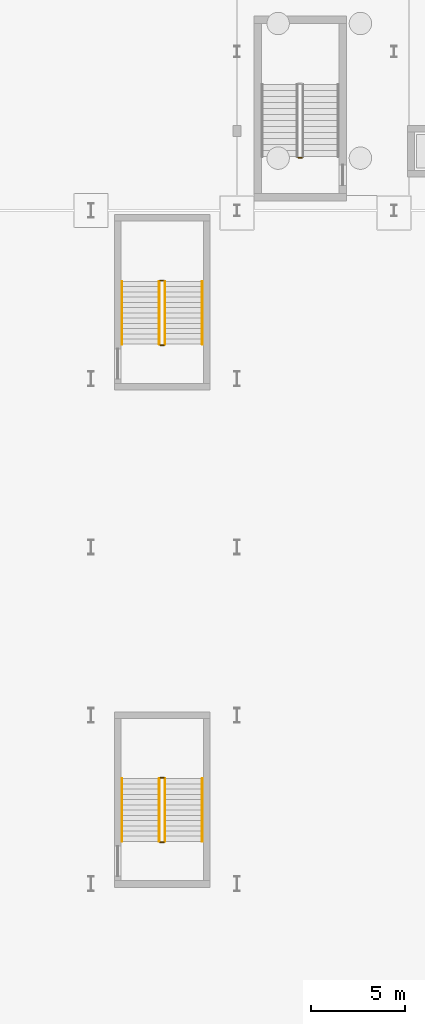
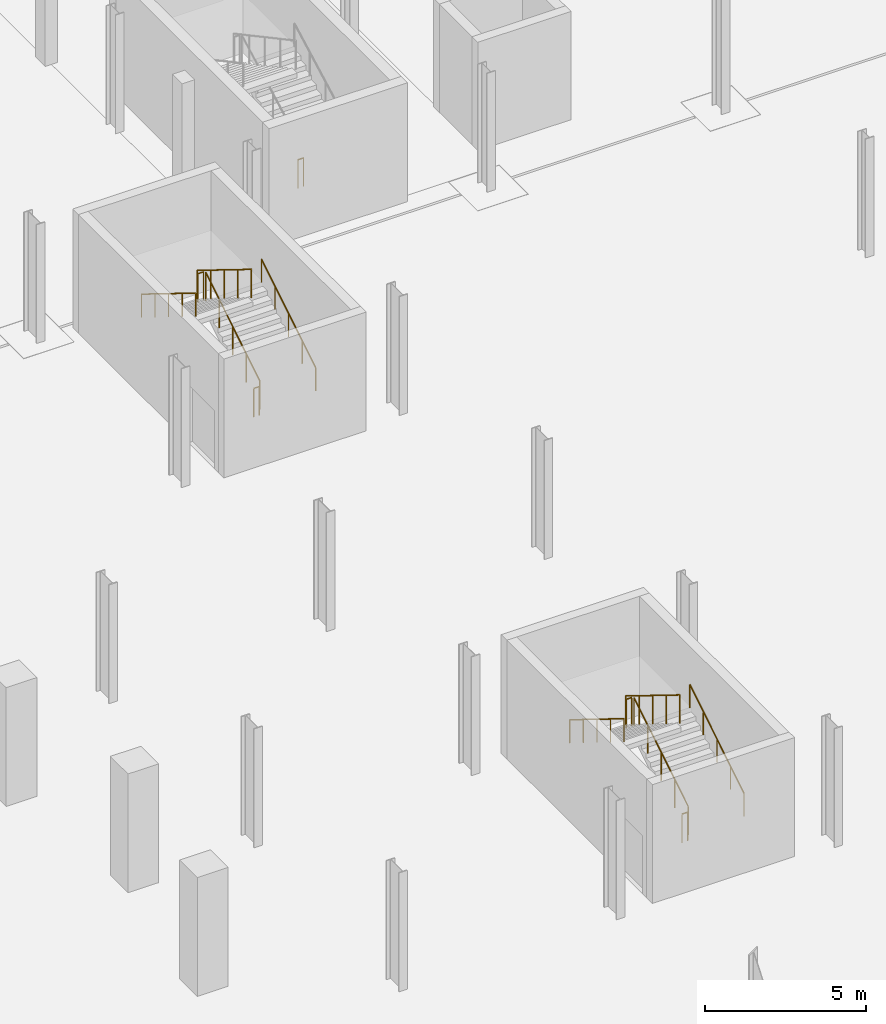
# One storey, part 36 of 45: 13 railings.
"""IFC4 building model written with IfcOpenShell, lengths in metres."""

from ifc_helpers import new_model, si_unit, direction, frame, origin, origin_2d, place, context, subcontext, project, spatial, circle, extrude, material, type_object, element, save


model = new_model("IFC4")

# Units and contexts
model_context = context("Model", 3, precision=1e-05, world=origin(), true_north=direction((0.0, 1.0)))
body_context = subcontext(model_context, "Body", "Model", "MODEL_VIEW")
ifc_project = project(units=[si_unit("LENGTHUNIT", "METRE"), si_unit("AREAUNIT", "SQUARE_METRE"), si_unit("VOLUMEUNIT", "CUBIC_METRE"), si_unit("PLANEANGLEUNIT", "RADIAN"), si_unit("MASSUNIT", "GRAM", prefix="KILO")], contexts=[model_context])

# Site, building, storey
site_placement = place(None, origin())
site = spatial("IfcSite", under=ifc_project, at=site_placement, CompositionType="ELEMENT")
building_placement = place(site_placement, origin())
building = spatial("IfcBuilding", under=site, at=building_placement, Name="Sefraquen Railside Congress Hotel", CompositionType="ELEMENT")
storey_placement = place(building_placement, frame((0.0, 0.0, -4.5)))
storey = spatial("IfcBuildingStorey", under=building, at=storey_placement, Name="B01", CompositionType="ELEMENT", Elevation=-4.5)

# Railings
ifc_material = material(Name="Patinated wrought architectural bronze", Category="metal")
railing_type_1 = type_object("IfcRailingType", Name="TRL-BAL-110", PredefinedType="BALUSTRADE", material=ifc_material)
railing_1_placement = place(storey_placement, frame((106.679931640625, 56.830078125, 0.0)))
element("IfcRailing", 1, at=railing_1_placement, inside=storey, type_object=railing_type_1, Name="B01 ST-M02 stair guard 4", PredefinedType="BALUSTRADE", context=body_context, shape_type="SweptSolid", body=[
    extrude(circle(Radius=0.02392578125, at=origin_2d()), frame((0.0, 0.0, 1.076171875), z_axis=(-1.0, 0.0, 0.0), x_axis=(0.0, -1.0, 0.0)), (0.0, 0.0, 1.0), 0.199951171875),
    extrude(circle(Radius=0.02099609375, at=origin_2d()), origin(), (0.0, 0.0, 1.0), 1.052001953125),
    extrude(circle(Radius=0.02099609375, at=origin_2d()), frame((-0.199951171875, 0.0, 0.0)), (0.0, 0.0, 1.0), 1.052001953125),
])
railing_2_placement = place(storey_placement, frame((99.35009765625, 20.260009765625, 0.173095703125)))
element("IfcRailing", 2, at=railing_2_placement, inside=storey, type_object=railing_type_1, Name="B01 ST-C03 stair guard 1", PredefinedType="BALUSTRADE", context=body_context, shape_type="SweptSolid", body=[
    extrude(circle(Radius=0.02392578125, at=origin_2d()), frame((0.0, 0.0, 1.076171875), z_axis=(0.0, 0.850623216509, 0.525775754039), x_axis=(-1.0, 0.0, 0.0)), (0.0, 0.0, 1.0), 3.9501953125),
    extrude(circle(Radius=0.02099609375, at=origin_2d()), origin(), (0.0, 0.0, 1.0), 1.052001953125),
    extrude(circle(Radius=0.02099609375, at=origin_2d()), frame((0.0, 0.840087890625, 0.519287109375)), (0.0, 0.0, 1.0), 1.052001953125),
    extrude(circle(Radius=0.02099609375, at=origin_2d()), frame((0.0, 1.68017578125, 1.03857421875)), (0.0, 0.0, 1.0), 1.052001953125),
    extrude(circle(Radius=0.02099609375, at=origin_2d()), frame((0.0, 2.52001953125, 1.5576171875)), (0.0, 0.0, 1.0), 1.052001953125),
    extrude(circle(Radius=0.02099609375, at=origin_2d()), frame((0.0, 3.360107421875, 2.076904296875)), (0.0, 0.0, 1.0), 1.052001953125),
])
railing_3_placement = place(storey_placement, frame((99.300048828125, 23.669921875, 2.25)))
element("IfcRailing", 3, at=railing_3_placement, inside=storey, type_object=railing_type_1, Name="B01 ST-C03 stair guard 2", PredefinedType="BALUSTRADE", context=body_context, shape_type="SweptSolid", body=[
    extrude(circle(Radius=0.02392578125, at=origin_2d()), frame((0.0, 0.0, 1.076171875), z_axis=(-1.0, 0.0, 0.0), x_axis=(0.0, -1.0, 0.0)), (0.0, 0.0, 1.0), 0.199951171875),
    extrude(circle(Radius=0.02099609375, at=origin_2d()), origin(), (0.0, 0.0, 1.0), 1.052001953125),
    extrude(circle(Radius=0.02099609375, at=origin_2d()), frame((-0.199951171875, 0.0, 0.0)), (0.0, 0.0, 1.0), 1.052001953125),
])
railing_4_placement = place(storey_placement, frame((99.050048828125, 23.6201171875, 2.423095703125)))
element("IfcRailing", 4, at=railing_4_placement, inside=storey, type_object=railing_type_1, Name="B01 ST-C03 stair guard 3", PredefinedType="BALUSTRADE", context=body_context, shape_type="SweptSolid", body=[
    extrude(circle(Radius=0.02392578125, at=origin_2d()), frame((0.0, 0.0, 1.076171875), z_axis=(0.0, -0.850623216509, 0.525775754039), x_axis=(1.0, 0.0, 0.0)), (0.0, 0.0, 1.0), 3.9501953125),
    extrude(circle(Radius=0.02099609375, at=origin_2d()), origin(), (0.0, 0.0, 1.0), 1.052001953125),
    extrude(circle(Radius=0.02099609375, at=origin_2d()), frame((0.0, -0.840087890625, 0.519287109375)), (0.0, 0.0, 1.0), 1.052001953125),
    extrude(circle(Radius=0.02099609375, at=origin_2d()), frame((0.0, -1.68017578125, 1.03857421875)), (0.0, 0.0, 1.0), 1.052001953125),
    extrude(circle(Radius=0.02099609375, at=origin_2d()), frame((0.0, -2.52001953125, 1.5576171875)), (0.0, 0.0, 1.0), 1.052001953125),
    extrude(circle(Radius=0.02099609375, at=origin_2d()), frame((0.0, -3.360107421875, 2.076904296875)), (0.0, 0.0, 1.0), 1.052001953125),
])
railing_5_placement = place(storey_placement, frame((99.300048828125, 20.2099609375, 0.0)))
element("IfcRailing", 5, at=railing_5_placement, inside=storey, type_object=railing_type_1, Name="B01 ST-C03 stair guard 4", PredefinedType="BALUSTRADE", context=body_context, shape_type="SweptSolid", body=[
    extrude(circle(Radius=0.02392578125, at=origin_2d()), frame((0.0, 0.0, 1.076171875), z_axis=(-1.0, 0.0, 0.0), x_axis=(0.0, -1.0, 0.0)), (0.0, 0.0, 1.0), 0.199951171875),
    extrude(circle(Radius=0.02099609375, at=origin_2d()), origin(), (0.0, 0.0, 1.0), 1.052001953125),
    extrude(circle(Radius=0.02099609375, at=origin_2d()), frame((-0.199951171875, 0.0, 0.0)), (0.0, 0.0, 1.0), 1.052001953125),
])
railing_6_placement = place(storey_placement, frame((99.35009765625, 46.85009765625, 0.173095703125)))
element("IfcRailing", 6, at=railing_6_placement, inside=storey, type_object=railing_type_1, Name="B01 ST-C04 stair guard 1", PredefinedType="BALUSTRADE", context=body_context, shape_type="SweptSolid", body=[
    extrude(circle(Radius=0.02392578125, at=origin_2d()), frame((0.0, 0.0, 1.076171875), z_axis=(0.0, 0.850606129759, 0.525803396734), x_axis=(-1.0, 0.0, 0.0)), (0.0, 0.0, 1.0), 3.949951171875),
    extrude(circle(Radius=0.02099609375, at=origin_2d()), origin(), (0.0, 0.0, 1.0), 1.052001953125),
    extrude(circle(Radius=0.02099609375, at=origin_2d()), frame((0.0, 0.83984375, 0.519287109375)), (0.0, 0.0, 1.0), 1.052001953125),
    extrude(circle(Radius=0.02099609375, at=origin_2d()), frame((0.0, 1.679931640625, 1.03857421875)), (0.0, 0.0, 1.0), 1.052001953125),
    extrude(circle(Radius=0.02099609375, at=origin_2d()), frame((0.0, 2.52001953125, 1.5576171875)), (0.0, 0.0, 1.0), 1.052001953125),
    extrude(circle(Radius=0.02099609375, at=origin_2d()), frame((0.0, 3.35986328125, 2.076904296875)), (0.0, 0.0, 1.0), 1.052001953125),
])
railing_7_placement = place(storey_placement, frame((99.300048828125, 50.260009765625, 2.25)))
element("IfcRailing", 7, at=railing_7_placement, inside=storey, type_object=railing_type_1, Name="B01 ST-C04 stair guard 2", PredefinedType="BALUSTRADE", context=body_context, shape_type="SweptSolid", body=[
    extrude(circle(Radius=0.02392578125, at=origin_2d()), frame((0.0, 0.0, 1.076171875), z_axis=(-1.0, 0.0, 0.0), x_axis=(0.0, -1.0, 0.0)), (0.0, 0.0, 1.0), 0.199951171875),
    extrude(circle(Radius=0.02099609375, at=origin_2d()), origin(), (0.0, 0.0, 1.0), 1.052001953125),
    extrude(circle(Radius=0.02099609375, at=origin_2d()), frame((-0.199951171875, 0.0, 0.0)), (0.0, 0.0, 1.0), 1.052001953125),
])
railing_8_placement = place(storey_placement, frame((99.050048828125, 50.2099609375, 2.423095703125)))
element("IfcRailing", 8, at=railing_8_placement, inside=storey, type_object=railing_type_1, Name="B01 ST-C04 stair guard 3", PredefinedType="BALUSTRADE", context=body_context, shape_type="SweptSolid", body=[
    extrude(circle(Radius=0.02392578125, at=origin_2d()), frame((0.0, 0.0, 1.076171875), z_axis=(0.0, -0.850606129759, 0.525803396734), x_axis=(1.0, 0.0, 0.0)), (0.0, 0.0, 1.0), 3.949951171875),
    extrude(circle(Radius=0.02099609375, at=origin_2d()), origin(), (0.0, 0.0, 1.0), 1.052001953125),
    extrude(circle(Radius=0.02099609375, at=origin_2d()), frame((0.0, -0.83984375, 0.519287109375)), (0.0, 0.0, 1.0), 1.052001953125),
    extrude(circle(Radius=0.02099609375, at=origin_2d()), frame((0.0, -1.679931640625, 1.03857421875)), (0.0, 0.0, 1.0), 1.052001953125),
    extrude(circle(Radius=0.02099609375, at=origin_2d()), frame((0.0, -2.52001953125, 1.5576171875)), (0.0, 0.0, 1.0), 1.052001953125),
    extrude(circle(Radius=0.02099609375, at=origin_2d()), frame((0.0, -3.35986328125, 2.076904296875)), (0.0, 0.0, 1.0), 1.052001953125),
])
railing_9_placement = place(storey_placement, frame((99.300048828125, 46.800048828125, 0.0)))
element("IfcRailing", 9, at=railing_9_placement, inside=storey, type_object=railing_type_1, Name="B01 ST-C04 stair guard 4", PredefinedType="BALUSTRADE", context=body_context, shape_type="SweptSolid", body=[
    extrude(circle(Radius=0.02392578125, at=origin_2d()), frame((0.0, 0.0, 1.076171875), z_axis=(-1.0, 0.0, 0.0), x_axis=(0.0, -1.0, 0.0)), (0.0, 0.0, 1.0), 0.199951171875),
    extrude(circle(Radius=0.02099609375, at=origin_2d()), origin(), (0.0, 0.0, 1.0), 1.052001953125),
    extrude(circle(Radius=0.02099609375, at=origin_2d()), frame((-0.199951171875, 0.0, 0.0)), (0.0, 0.0, 1.0), 1.052001953125),
])
railing_type_2 = type_object("IfcRailingType", Name="TRL-HR-090", PredefinedType="HANDRAIL", material=ifc_material)
railing_10_placement = place(storey_placement, frame((101.35009765625, 20.260009765625, 0.173095703125)))
element("IfcRailing", 10, at=railing_10_placement, inside=storey, type_object=railing_type_2, Name="B01 ST-C03 stair handrail 1", PredefinedType="HANDRAIL", context=body_context, shape_type="SweptSolid", body=[
    extrude(circle(Radius=0.02392578125, at=origin_2d()), frame((0.0, 0.0, 0.8759765625), z_axis=(0.0, 0.850623216509, 0.525775754039), x_axis=(-1.0, 0.0, 0.0)), (0.0, 0.0, 1.0), 3.9501953125),
    extrude(circle(Radius=0.02099609375, at=origin_2d()), origin(), (0.0, 0.0, 1.0), 0.851806640625),
    extrude(circle(Radius=0.02099609375, at=origin_2d()), frame((0.0, 0.840087890625, 0.519287109375)), (0.0, 0.0, 1.0), 0.851806640625),
    extrude(circle(Radius=0.02099609375, at=origin_2d()), frame((0.0, 1.68017578125, 1.03857421875)), (0.0, 0.0, 1.0), 0.851806640625),
    extrude(circle(Radius=0.02099609375, at=origin_2d()), frame((0.0, 2.52001953125, 1.5576171875)), (0.0, 0.0, 1.0), 0.851806640625),
    extrude(circle(Radius=0.02099609375, at=origin_2d()), frame((0.0, 3.360107421875, 2.076904296875)), (0.0, 0.0, 1.0), 0.851806640625),
])
railing_11_placement = place(storey_placement, frame((97.050048828125, 23.6201171875, 2.423095703125)))
element("IfcRailing", 11, at=railing_11_placement, inside=storey, type_object=railing_type_2, Name="B01 ST-C03 stair handrail 2", PredefinedType="HANDRAIL", context=body_context, shape_type="SweptSolid", body=[
    extrude(circle(Radius=0.02392578125, at=origin_2d()), frame((0.0, 0.0, 0.8759765625), z_axis=(0.0, -0.850623216509, 0.525775754039), x_axis=(1.0, 0.0, 0.0)), (0.0, 0.0, 1.0), 3.9501953125),
    extrude(circle(Radius=0.02099609375, at=origin_2d()), origin(), (0.0, 0.0, 1.0), 0.851806640625),
    extrude(circle(Radius=0.02099609375, at=origin_2d()), frame((0.0, -0.840087890625, 0.519287109375)), (0.0, 0.0, 1.0), 0.851806640625),
    extrude(circle(Radius=0.02099609375, at=origin_2d()), frame((0.0, -1.68017578125, 1.03857421875)), (0.0, 0.0, 1.0), 0.851806640625),
    extrude(circle(Radius=0.02099609375, at=origin_2d()), frame((0.0, -2.52001953125, 1.5576171875)), (0.0, 0.0, 1.0), 0.851806640625),
    extrude(circle(Radius=0.02099609375, at=origin_2d()), frame((0.0, -3.360107421875, 2.076904296875)), (0.0, 0.0, 1.0), 0.851806640625),
])
railing_12_placement = place(storey_placement, frame((101.35009765625, 46.85009765625, 0.173095703125)))
element("IfcRailing", 12, at=railing_12_placement, inside=storey, type_object=railing_type_2, Name="B01 ST-C04 stair handrail 1", PredefinedType="HANDRAIL", context=body_context, shape_type="SweptSolid", body=[
    extrude(circle(Radius=0.02392578125, at=origin_2d()), frame((0.0, 0.0, 0.8759765625), z_axis=(0.0, 0.850606129759, 0.525803396734), x_axis=(-1.0, 0.0, 0.0)), (0.0, 0.0, 1.0), 3.949951171875),
    extrude(circle(Radius=0.02099609375, at=origin_2d()), origin(), (0.0, 0.0, 1.0), 0.851806640625),
    extrude(circle(Radius=0.02099609375, at=origin_2d()), frame((0.0, 0.83984375, 0.519287109375)), (0.0, 0.0, 1.0), 0.851806640625),
    extrude(circle(Radius=0.02099609375, at=origin_2d()), frame((0.0, 1.679931640625, 1.03857421875)), (0.0, 0.0, 1.0), 0.851806640625),
    extrude(circle(Radius=0.02099609375, at=origin_2d()), frame((0.0, 2.52001953125, 1.5576171875)), (0.0, 0.0, 1.0), 0.851806640625),
    extrude(circle(Radius=0.02099609375, at=origin_2d()), frame((0.0, 3.35986328125, 2.076904296875)), (0.0, 0.0, 1.0), 0.851806640625),
])
railing_13_placement = place(storey_placement, frame((97.050048828125, 50.2099609375, 2.423095703125)))
element("IfcRailing", 13, at=railing_13_placement, inside=storey, type_object=railing_type_2, Name="B01 ST-C04 stair handrail 2", PredefinedType="HANDRAIL", context=body_context, shape_type="SweptSolid", body=[
    extrude(circle(Radius=0.02392578125, at=origin_2d()), frame((0.0, 0.0, 0.8759765625), z_axis=(0.0, -0.850606129759, 0.525803396734), x_axis=(1.0, 0.0, 0.0)), (0.0, 0.0, 1.0), 3.949951171875),
    extrude(circle(Radius=0.02099609375, at=origin_2d()), origin(), (0.0, 0.0, 1.0), 0.851806640625),
    extrude(circle(Radius=0.02099609375, at=origin_2d()), frame((0.0, -0.83984375, 0.519287109375)), (0.0, 0.0, 1.0), 0.851806640625),
    extrude(circle(Radius=0.02099609375, at=origin_2d()), frame((0.0, -1.679931640625, 1.03857421875)), (0.0, 0.0, 1.0), 0.851806640625),
    extrude(circle(Radius=0.02099609375, at=origin_2d()), frame((0.0, -2.52001953125, 1.5576171875)), (0.0, 0.0, 1.0), 0.851806640625),
    extrude(circle(Radius=0.02099609375, at=origin_2d()), frame((0.0, -3.35986328125, 2.076904296875)), (0.0, 0.0, 1.0), 0.851806640625),
])

save(model, "model.ifc")
